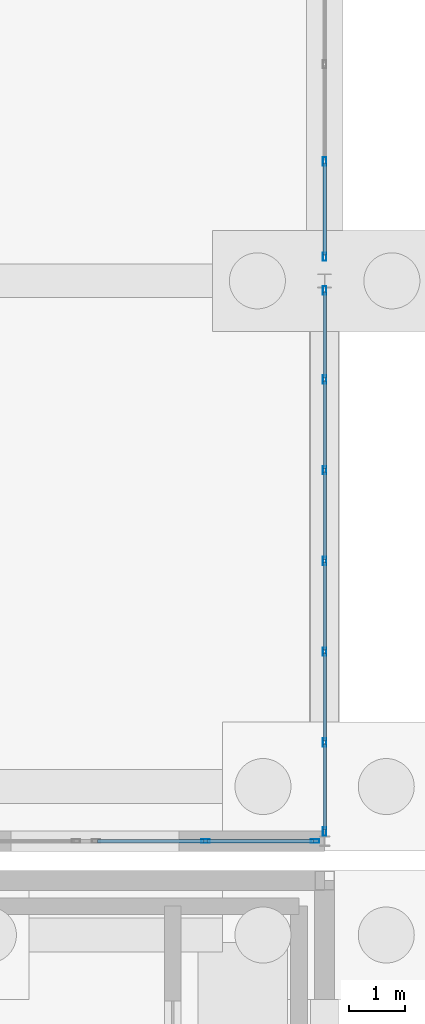
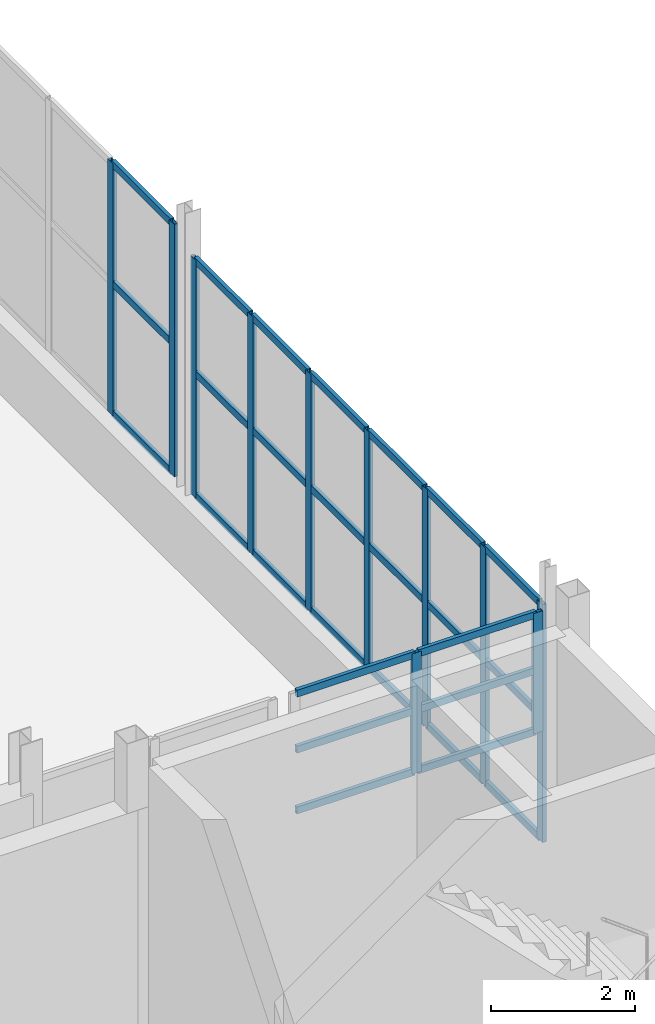
# One storey, part 87 of 139: 38 members, 3 elements without a shape of their own.
"""IFC4 building model written with IfcOpenShell, lengths in metres."""

from ifc_helpers import new_model, si_unit, direction, frame, origin, origin_2d, place, context, subcontext, project, spatial, hollow_rectangle, extrude, material, material_profile, profile_set, type_object, element, aggregate, save


model = new_model("IFC4")

# Units and contexts
model_context = context("Model", 3, precision=1e-05, world=origin(), true_north=direction((0.0, 1.0)))
body_context = subcontext(model_context, "Body", "Model", "MODEL_VIEW")
ifc_project = project(units=[si_unit("LENGTHUNIT", "METRE"), si_unit("AREAUNIT", "SQUARE_METRE"), si_unit("VOLUMEUNIT", "CUBIC_METRE"), si_unit("PLANEANGLEUNIT", "RADIAN"), si_unit("MASSUNIT", "GRAM", prefix="KILO")], contexts=[model_context])

# Site, building, storey
site_placement = place(None, origin())
site = spatial("IfcSite", under=ifc_project, at=site_placement, CompositionType="ELEMENT")
building_placement = place(site_placement, origin())
building = spatial("IfcBuilding", under=site, at=building_placement, Name="Kazenagashi Tramway Depot", CompositionType="ELEMENT")
storey_placement = place(building_placement, origin())
storey = spatial("IfcBuildingStorey", under=building, at=storey_placement, Name="L01", CompositionType="ELEMENT", Elevation=0.0)

# Curtain wall, members
ifc_material_1 = material(Name="Anodised Aluminium and Low-E Glazing", Category="aluminium")
curtain_wall_type_1 = type_object("IfcCurtainWallType", Name="CW-01", PredefinedType="USERDEFINED", material=ifc_material_1)
curtain_wall_1_placement = place(storey_placement, origin())
curtain_wall_1 = element("IfcCurtainWall", 1, at=curtain_wall_1_placement, inside=storey, type_object=curtain_wall_type_1, Name="Industrial Glazed Screen CW-01 CW-0001", ObjectType="GLAZED SCREEN", PredefinedType="USERDEFINED")
ifc_material_2 = material(Name="Anodised Aluminium", Category="aluminium")
ifc_material_profile_1 = material_profile(ifc_material_2, hollow_rectangle(XDim=0.06, YDim=0.15, WallThickness=0.004, at=origin_2d()), Name="RHS-150x60x4")
ifc_profile_set_1 = profile_set([ifc_material_profile_1], Name="Anodised Aluminium")
member_type_1 = type_object("IfcMemberType", Name="ML-01", PredefinedType="MULLION", material=ifc_profile_set_1)
member_1_placement = place(storey_placement, frame((196.0, 70.17, 1.2), z_axis=(0.0, 0.0, 1.0), x_axis=(-1.0, 0.0, 0.0)))
member_1 = element("IfcMember", 2, at=member_1_placement, type_object=member_type_1, Name="CW-01 mullion 1", PredefinedType="MULLION", context=body_context, shape_type="SweptSolid", body=[
    extrude(hollow_rectangle(XDim=0.06, YDim=0.15, WallThickness=0.004, at=origin_2d()), origin(), (0.0, 0.0, 1.0), 4.047),
])
member_2_placement = place(storey_placement, frame((196.0, 71.76, 1.2), z_axis=(0.0, 0.0, 1.0), x_axis=(-1.0, 0.0, 0.0)))
member_2 = element("IfcMember", 3, at=member_2_placement, type_object=member_type_1, Name="CW-01 mullion 2", PredefinedType="MULLION", context=body_context, shape_type="SweptSolid", body=[
    extrude(hollow_rectangle(XDim=0.06, YDim=0.15, WallThickness=0.004, at=origin_2d()), origin(), (0.0, 0.0, 1.0), 4.047),
])
member_3_placement = place(storey_placement, frame((196.0, 73.38, 1.2), z_axis=(0.0, 0.0, 1.0), x_axis=(-1.0, 0.0, 0.0)))
member_3 = element("IfcMember", 4, at=member_3_placement, type_object=member_type_1, Name="CW-01 mullion 3", PredefinedType="MULLION", context=body_context, shape_type="SweptSolid", body=[
    extrude(hollow_rectangle(XDim=0.06, YDim=0.15, WallThickness=0.004, at=origin_2d()), origin(), (0.0, 0.0, 1.0), 4.047),
])
member_4_placement = place(storey_placement, frame((196.0, 75.0, 1.2), z_axis=(0.0, 0.0, 1.0), x_axis=(-1.0, 0.0, 0.0)))
member_4 = element("IfcMember", 5, at=member_4_placement, type_object=member_type_1, Name="CW-01 mullion 4", PredefinedType="MULLION", context=body_context, shape_type="SweptSolid", body=[
    extrude(hollow_rectangle(XDim=0.06, YDim=0.15, WallThickness=0.004, at=origin_2d()), origin(), (0.0, 0.0, 1.0), 4.047),
])
member_5_placement = place(storey_placement, frame((196.0, 76.62, 1.2), z_axis=(0.0, 0.0, 1.0), x_axis=(-1.0, 0.0, 0.0)))
member_5 = element("IfcMember", 6, at=member_5_placement, type_object=member_type_1, Name="CW-01 mullion 5", PredefinedType="MULLION", context=body_context, shape_type="SweptSolid", body=[
    extrude(hollow_rectangle(XDim=0.06, YDim=0.15, WallThickness=0.004, at=origin_2d()), origin(), (0.0, 0.0, 1.0), 4.047),
])
member_6_placement = place(storey_placement, frame((196.0, 78.24, 1.2), z_axis=(0.0, 0.0, 1.0), x_axis=(-1.0, 0.0, 0.0)))
member_6 = element("IfcMember", 7, at=member_6_placement, type_object=member_type_1, Name="CW-01 mullion 6", PredefinedType="MULLION", context=body_context, shape_type="SweptSolid", body=[
    extrude(hollow_rectangle(XDim=0.06, YDim=0.15, WallThickness=0.004, at=origin_2d()), origin(), (0.0, 0.0, 1.0), 4.047),
])
member_7_placement = place(storey_placement, frame((196.0, 79.83, 1.2), z_axis=(0.0, 0.0, 1.0), x_axis=(-1.0, 0.0, 0.0)))
member_7 = element("IfcMember", 8, at=member_7_placement, type_object=member_type_1, Name="CW-01 mullion 7", PredefinedType="MULLION", context=body_context, shape_type="SweptSolid", body=[
    extrude(hollow_rectangle(XDim=0.06, YDim=0.15, WallThickness=0.004, at=origin_2d()), origin(), (0.0, 0.0, 1.0), 4.047),
])

curtain_wall_type_2 = type_object("IfcCurtainWallType", Name="CW-03", PredefinedType="USERDEFINED", material=ifc_material_1)
curtain_wall_2_placement = place(storey_placement, origin())
curtain_wall_2 = element("IfcCurtainWall", 9, at=curtain_wall_2_placement, inside=storey, type_object=curtain_wall_type_2, Name="Industrial Glazed Screen CW-03 CW-0003", ObjectType="GLAZED SCREEN", PredefinedType="USERDEFINED")
member_8_placement = place(storey_placement, frame((196.0, 80.43, 1.2), z_axis=(0.0, 0.0, 1.0), x_axis=(-1.0, 0.0, 0.0)))
member_8 = element("IfcMember", 10, at=member_8_placement, type_object=member_type_1, Name="CW-03 mullion 1", PredefinedType="MULLION", context=body_context, shape_type="SweptSolid", body=[
    extrude(hollow_rectangle(XDim=0.06, YDim=0.15, WallThickness=0.004, at=origin_2d()), origin(), (0.0, 0.0, 1.0), 4.292),
])
member_9_placement = place(storey_placement, frame((196.0, 82.133333, 1.2), z_axis=(0.0, 0.0, 1.0), x_axis=(-1.0, 0.0, 0.0)))
member_9 = element("IfcMember", 11, at=member_9_placement, type_object=member_type_1, Name="CW-03 mullion 2", PredefinedType="MULLION", context=body_context, shape_type="SweptSolid", body=[
    extrude(hollow_rectangle(XDim=0.06, YDim=0.15, WallThickness=0.004, at=origin_2d()), origin(), (0.0, 0.0, 1.0), 4.292),
])

curtain_wall_type_3 = type_object("IfcCurtainWallType", Name="CW-13", PredefinedType="USERDEFINED", material=ifc_material_1)
curtain_wall_3_placement = place(storey_placement, origin())
curtain_wall_3 = element("IfcCurtainWall", 12, at=curtain_wall_3_placement, inside=storey, type_object=curtain_wall_type_3, Name="Industrial Glazed Screen CW-13 CW-0054", ObjectType="GLAZED SCREEN", PredefinedType="USERDEFINED")
member_10_placement = place(storey_placement, frame((193.875, 70.0, 3.2), z_axis=(0.0, 0.0, 1.0), x_axis=(0.0, 1.0, 0.0)))
member_10 = element("IfcMember", 13, at=member_10_placement, type_object=member_type_1, Name="CW-13 mullion 2", PredefinedType="MULLION", context=body_context, shape_type="SweptSolid", body=[
    extrude(hollow_rectangle(XDim=0.06, YDim=0.15, WallThickness=0.004, at=origin_2d()), origin(), (0.0, 0.0, 1.0), 2.047),
])
member_11_placement = place(storey_placement, frame((195.83, 70.0, 3.2), z_axis=(0.0, 0.0, 1.0), x_axis=(0.0, 1.0, 0.0)))
member_11 = element("IfcMember", 14, at=member_11_placement, type_object=member_type_1, Name="CW-13 mullion 3", PredefinedType="MULLION", context=body_context, shape_type="SweptSolid", body=[
    extrude(hollow_rectangle(XDim=0.06, YDim=0.15, WallThickness=0.004, at=origin_2d()), origin(), (0.0, 0.0, 1.0), 2.047),
])

# Member
ifc_material_profile_2 = material_profile(ifc_material_2, hollow_rectangle(XDim=0.06, YDim=0.12, WallThickness=0.004, at=origin_2d()), Name="RHS-120x60x4")
ifc_profile_set_2 = profile_set([ifc_material_profile_2], Name="Anodised Aluminium")
member_type_2 = type_object("IfcMemberType", Name="TR-01", PredefinedType="USERDEFINED", material=ifc_profile_set_2)
member_12_placement = place(storey_placement, frame((196.0, 70.2, 1.23), z_axis=(0.0, 1.0, 0.0), x_axis=(-1.0, 0.0, 0.0)))
member_12 = element("IfcMember", 15, at=member_12_placement, type_object=member_type_2, Name="CW-01 transom 1.1", ObjectType="TRANSOM", PredefinedType="USERDEFINED", context=body_context, shape_type="SweptSolid", body=[
    extrude(hollow_rectangle(XDim=0.06, YDim=0.12, WallThickness=0.004, at=origin_2d()), origin(), (0.0, 0.0, 1.0), 1.53),
])

member_13_placement = place(storey_placement, frame((196.0, 70.2, 3.304), z_axis=(0.0, 1.0, 0.0), x_axis=(-1.0, 0.0, 0.0)))
member_13 = element("IfcMember", 16, at=member_13_placement, type_object=member_type_2, Name="CW-01 transom 1.2", ObjectType="TRANSOM", PredefinedType="USERDEFINED", context=body_context, shape_type="SweptSolid", body=[
    extrude(hollow_rectangle(XDim=0.06, YDim=0.12, WallThickness=0.004, at=origin_2d()), origin(), (0.0, 0.0, 1.0), 1.53),
])

member_14_placement = place(storey_placement, frame((196.0, 70.2, 5.217), z_axis=(0.0, 1.0, 0.0), x_axis=(-1.0, 0.0, 0.0)))
member_14 = element("IfcMember", 17, at=member_14_placement, type_object=member_type_2, Name="CW-01 transom 1.3", ObjectType="TRANSOM", PredefinedType="USERDEFINED", context=body_context, shape_type="SweptSolid", body=[
    extrude(hollow_rectangle(XDim=0.06, YDim=0.12, WallThickness=0.004, at=origin_2d()), origin(), (0.0, 0.0, 1.0), 1.53),
])

member_15_placement = place(storey_placement, frame((196.0, 71.79, 1.23), z_axis=(0.0, 1.0, 0.0), x_axis=(-1.0, 0.0, 0.0)))
member_15 = element("IfcMember", 18, at=member_15_placement, type_object=member_type_2, Name="CW-01 transom 2.1", ObjectType="TRANSOM", PredefinedType="USERDEFINED", context=body_context, shape_type="SweptSolid", body=[
    extrude(hollow_rectangle(XDim=0.06, YDim=0.12, WallThickness=0.004, at=origin_2d()), origin(), (0.0, 0.0, 1.0), 1.56),
])

member_16_placement = place(storey_placement, frame((196.0, 71.79, 3.304), z_axis=(0.0, 1.0, 0.0), x_axis=(-1.0, 0.0, 0.0)))
member_16 = element("IfcMember", 19, at=member_16_placement, type_object=member_type_2, Name="CW-01 transom 2.2", ObjectType="TRANSOM", PredefinedType="USERDEFINED", context=body_context, shape_type="SweptSolid", body=[
    extrude(hollow_rectangle(XDim=0.06, YDim=0.12, WallThickness=0.004, at=origin_2d()), origin(), (0.0, 0.0, 1.0), 1.56),
])

member_17_placement = place(storey_placement, frame((196.0, 71.79, 5.217), z_axis=(0.0, 1.0, 0.0), x_axis=(-1.0, 0.0, 0.0)))
member_17 = element("IfcMember", 20, at=member_17_placement, type_object=member_type_2, Name="CW-01 transom 2.3", ObjectType="TRANSOM", PredefinedType="USERDEFINED", context=body_context, shape_type="SweptSolid", body=[
    extrude(hollow_rectangle(XDim=0.06, YDim=0.12, WallThickness=0.004, at=origin_2d()), origin(), (0.0, 0.0, 1.0), 1.56),
])

member_18_placement = place(storey_placement, frame((196.0, 73.41, 1.23), z_axis=(0.0, 1.0, 0.0), x_axis=(-1.0, 0.0, 0.0)))
member_18 = element("IfcMember", 21, at=member_18_placement, type_object=member_type_2, Name="CW-01 transom 3.1", ObjectType="TRANSOM", PredefinedType="USERDEFINED", context=body_context, shape_type="SweptSolid", body=[
    extrude(hollow_rectangle(XDim=0.06, YDim=0.12, WallThickness=0.004, at=origin_2d()), origin(), (0.0, 0.0, 1.0), 1.56),
])

member_19_placement = place(storey_placement, frame((196.0, 73.41, 3.304), z_axis=(0.0, 1.0, 0.0), x_axis=(-1.0, 0.0, 0.0)))
member_19 = element("IfcMember", 22, at=member_19_placement, type_object=member_type_2, Name="CW-01 transom 3.2", ObjectType="TRANSOM", PredefinedType="USERDEFINED", context=body_context, shape_type="SweptSolid", body=[
    extrude(hollow_rectangle(XDim=0.06, YDim=0.12, WallThickness=0.004, at=origin_2d()), origin(), (0.0, 0.0, 1.0), 1.56),
])

member_20_placement = place(storey_placement, frame((196.0, 73.41, 5.217), z_axis=(0.0, 1.0, 0.0), x_axis=(-1.0, 0.0, 0.0)))
member_20 = element("IfcMember", 23, at=member_20_placement, type_object=member_type_2, Name="CW-01 transom 3.3", ObjectType="TRANSOM", PredefinedType="USERDEFINED", context=body_context, shape_type="SweptSolid", body=[
    extrude(hollow_rectangle(XDim=0.06, YDim=0.12, WallThickness=0.004, at=origin_2d()), origin(), (0.0, 0.0, 1.0), 1.56),
])

member_21_placement = place(storey_placement, frame((196.0, 75.03, 1.23), z_axis=(0.0, 1.0, 0.0), x_axis=(-1.0, 0.0, 0.0)))
member_21 = element("IfcMember", 24, at=member_21_placement, type_object=member_type_2, Name="CW-01 transom 4.1", ObjectType="TRANSOM", PredefinedType="USERDEFINED", context=body_context, shape_type="SweptSolid", body=[
    extrude(hollow_rectangle(XDim=0.06, YDim=0.12, WallThickness=0.004, at=origin_2d()), origin(), (0.0, 0.0, 1.0), 1.56),
])

member_22_placement = place(storey_placement, frame((196.0, 75.03, 3.304), z_axis=(0.0, 1.0, 0.0), x_axis=(-1.0, 0.0, 0.0)))
member_22 = element("IfcMember", 25, at=member_22_placement, type_object=member_type_2, Name="CW-01 transom 4.2", ObjectType="TRANSOM", PredefinedType="USERDEFINED", context=body_context, shape_type="SweptSolid", body=[
    extrude(hollow_rectangle(XDim=0.06, YDim=0.12, WallThickness=0.004, at=origin_2d()), origin(), (0.0, 0.0, 1.0), 1.56),
])

member_23_placement = place(storey_placement, frame((196.0, 75.03, 5.217), z_axis=(0.0, 1.0, 0.0), x_axis=(-1.0, 0.0, 0.0)))
member_23 = element("IfcMember", 26, at=member_23_placement, type_object=member_type_2, Name="CW-01 transom 4.3", ObjectType="TRANSOM", PredefinedType="USERDEFINED", context=body_context, shape_type="SweptSolid", body=[
    extrude(hollow_rectangle(XDim=0.06, YDim=0.12, WallThickness=0.004, at=origin_2d()), origin(), (0.0, 0.0, 1.0), 1.56),
])

member_24_placement = place(storey_placement, frame((196.0, 76.65, 1.23), z_axis=(0.0, 1.0, 0.0), x_axis=(-1.0, 0.0, 0.0)))
member_24 = element("IfcMember", 27, at=member_24_placement, type_object=member_type_2, Name="CW-01 transom 5.1", ObjectType="TRANSOM", PredefinedType="USERDEFINED", context=body_context, shape_type="SweptSolid", body=[
    extrude(hollow_rectangle(XDim=0.06, YDim=0.12, WallThickness=0.004, at=origin_2d()), origin(), (0.0, 0.0, 1.0), 1.56),
])

member_25_placement = place(storey_placement, frame((196.0, 76.65, 3.304), z_axis=(0.0, 1.0, 0.0), x_axis=(-1.0, 0.0, 0.0)))
member_25 = element("IfcMember", 28, at=member_25_placement, type_object=member_type_2, Name="CW-01 transom 5.2", ObjectType="TRANSOM", PredefinedType="USERDEFINED", context=body_context, shape_type="SweptSolid", body=[
    extrude(hollow_rectangle(XDim=0.06, YDim=0.12, WallThickness=0.004, at=origin_2d()), origin(), (0.0, 0.0, 1.0), 1.56),
])

member_26_placement = place(storey_placement, frame((196.0, 76.65, 5.217), z_axis=(0.0, 1.0, 0.0), x_axis=(-1.0, 0.0, 0.0)))
member_26 = element("IfcMember", 29, at=member_26_placement, type_object=member_type_2, Name="CW-01 transom 5.3", ObjectType="TRANSOM", PredefinedType="USERDEFINED", context=body_context, shape_type="SweptSolid", body=[
    extrude(hollow_rectangle(XDim=0.06, YDim=0.12, WallThickness=0.004, at=origin_2d()), origin(), (0.0, 0.0, 1.0), 1.56),
])

member_27_placement = place(storey_placement, frame((196.0, 78.27, 1.23), z_axis=(0.0, 1.0, 0.0), x_axis=(-1.0, 0.0, 0.0)))
member_27 = element("IfcMember", 30, at=member_27_placement, type_object=member_type_2, Name="CW-01 transom 6.1", ObjectType="TRANSOM", PredefinedType="USERDEFINED", context=body_context, shape_type="SweptSolid", body=[
    extrude(hollow_rectangle(XDim=0.06, YDim=0.12, WallThickness=0.004, at=origin_2d()), origin(), (0.0, 0.0, 1.0), 1.53),
])

member_28_placement = place(storey_placement, frame((196.0, 78.27, 3.304), z_axis=(0.0, 1.0, 0.0), x_axis=(-1.0, 0.0, 0.0)))
member_28 = element("IfcMember", 31, at=member_28_placement, type_object=member_type_2, Name="CW-01 transom 6.2", ObjectType="TRANSOM", PredefinedType="USERDEFINED", context=body_context, shape_type="SweptSolid", body=[
    extrude(hollow_rectangle(XDim=0.06, YDim=0.12, WallThickness=0.004, at=origin_2d()), origin(), (0.0, 0.0, 1.0), 1.53),
])

member_29_placement = place(storey_placement, frame((196.0, 78.27, 5.217), z_axis=(0.0, 1.0, 0.0), x_axis=(-1.0, 0.0, 0.0)))
member_29 = element("IfcMember", 32, at=member_29_placement, type_object=member_type_2, Name="CW-01 transom 6.3", ObjectType="TRANSOM", PredefinedType="USERDEFINED", context=body_context, shape_type="SweptSolid", body=[
    extrude(hollow_rectangle(XDim=0.06, YDim=0.12, WallThickness=0.004, at=origin_2d()), origin(), (0.0, 0.0, 1.0), 1.53),
])

aggregate(curtain_wall_1, [member_1, member_2, member_3, member_4, member_5, member_6, member_7, member_12, member_13, member_14, member_15, member_16, member_17, member_18, member_19, member_20, member_21, member_22, member_23, member_24, member_25, member_26, member_27, member_28, member_29])

member_30_placement = place(storey_placement, frame((196.0, 80.46, 1.23), z_axis=(0.0, 1.0, 0.0), x_axis=(-1.0, 0.0, 0.0)))
member_30 = element("IfcMember", 33, at=member_30_placement, type_object=member_type_2, Name="CW-03 transom 1.1", ObjectType="TRANSOM", PredefinedType="USERDEFINED", context=body_context, shape_type="SweptSolid", body=[
    extrude(hollow_rectangle(XDim=0.06, YDim=0.12, WallThickness=0.004, at=origin_2d()), origin(), (0.0, 0.0, 1.0), 1.643333),
])

member_31_placement = place(storey_placement, frame((196.0, 80.46, 3.432), z_axis=(0.0, 1.0, 0.0), x_axis=(-1.0, 0.0, 0.0)))
member_31 = element("IfcMember", 34, at=member_31_placement, type_object=member_type_2, Name="CW-03 transom 1.2", ObjectType="TRANSOM", PredefinedType="USERDEFINED", context=body_context, shape_type="SweptSolid", body=[
    extrude(hollow_rectangle(XDim=0.06, YDim=0.12, WallThickness=0.004, at=origin_2d()), origin(), (0.0, 0.0, 1.0), 1.643333),
])

member_32_placement = place(storey_placement, frame((196.0, 80.46, 5.462), z_axis=(0.0, 1.0, 0.0), x_axis=(-1.0, 0.0, 0.0)))
member_32 = element("IfcMember", 35, at=member_32_placement, type_object=member_type_2, Name="CW-03 transom 1.3", ObjectType="TRANSOM", PredefinedType="USERDEFINED", context=body_context, shape_type="SweptSolid", body=[
    extrude(hollow_rectangle(XDim=0.06, YDim=0.12, WallThickness=0.004, at=origin_2d()), origin(), (0.0, 0.0, 1.0), 1.643333),
])

aggregate(curtain_wall_2, [member_8, member_9, member_30, member_31, member_32])

member_33_placement = place(storey_placement, frame((191.95, 70.0, 3.23), z_axis=(1.0, 0.0, 0.0), x_axis=(0.0, 1.0, 0.0)))
member_33 = element("IfcMember", 36, at=member_33_placement, type_object=member_type_2, Name="CW-13 transom 1.1", ObjectType="TRANSOM", PredefinedType="USERDEFINED", context=body_context, shape_type="SweptSolid", body=[
    extrude(hollow_rectangle(XDim=0.06, YDim=0.12, WallThickness=0.004, at=origin_2d()), origin(), (0.0, 0.0, 1.0), 1.895),
])

member_34_placement = place(storey_placement, frame((191.95, 70.0, 4.264), z_axis=(1.0, 0.0, 0.0), x_axis=(0.0, 1.0, 0.0)))
member_34 = element("IfcMember", 37, at=member_34_placement, type_object=member_type_2, Name="CW-13 transom 1.2", ObjectType="TRANSOM", PredefinedType="USERDEFINED", context=body_context, shape_type="SweptSolid", body=[
    extrude(hollow_rectangle(XDim=0.06, YDim=0.12, WallThickness=0.004, at=origin_2d()), origin(), (0.0, 0.0, 1.0), 1.895),
])

member_35_placement = place(storey_placement, frame((191.95, 70.0, 5.217), z_axis=(1.0, 0.0, 0.0), x_axis=(0.0, 1.0, 0.0)))
member_35 = element("IfcMember", 38, at=member_35_placement, type_object=member_type_2, Name="CW-13 transom 1.3", ObjectType="TRANSOM", PredefinedType="USERDEFINED", context=body_context, shape_type="SweptSolid", body=[
    extrude(hollow_rectangle(XDim=0.06, YDim=0.12, WallThickness=0.004, at=origin_2d()), origin(), (0.0, 0.0, 1.0), 1.895),
])

member_36_placement = place(storey_placement, frame((193.905, 70.0, 3.23), z_axis=(1.0, 0.0, 0.0), x_axis=(0.0, 1.0, 0.0)))
member_36 = element("IfcMember", 39, at=member_36_placement, type_object=member_type_2, Name="CW-13 transom 2.1", ObjectType="TRANSOM", PredefinedType="USERDEFINED", context=body_context, shape_type="SweptSolid", body=[
    extrude(hollow_rectangle(XDim=0.06, YDim=0.12, WallThickness=0.004, at=origin_2d()), origin(), (0.0, 0.0, 1.0), 1.895),
])

member_37_placement = place(storey_placement, frame((193.905, 70.0, 4.264), z_axis=(1.0, 0.0, 0.0), x_axis=(0.0, 1.0, 0.0)))
member_37 = element("IfcMember", 40, at=member_37_placement, type_object=member_type_2, Name="CW-13 transom 2.2", ObjectType="TRANSOM", PredefinedType="USERDEFINED", context=body_context, shape_type="SweptSolid", body=[
    extrude(hollow_rectangle(XDim=0.06, YDim=0.12, WallThickness=0.004, at=origin_2d()), origin(), (0.0, 0.0, 1.0), 1.895),
])

member_38_placement = place(storey_placement, frame((193.905, 70.0, 5.217), z_axis=(1.0, 0.0, 0.0), x_axis=(0.0, 1.0, 0.0)))
member_38 = element("IfcMember", 41, at=member_38_placement, type_object=member_type_2, Name="CW-13 transom 2.3", ObjectType="TRANSOM", PredefinedType="USERDEFINED", context=body_context, shape_type="SweptSolid", body=[
    extrude(hollow_rectangle(XDim=0.06, YDim=0.12, WallThickness=0.004, at=origin_2d()), origin(), (0.0, 0.0, 1.0), 1.895),
])

aggregate(curtain_wall_3, [member_10, member_11, member_33, member_34, member_35, member_36, member_37, member_38])

save(model, "model.ifc")
